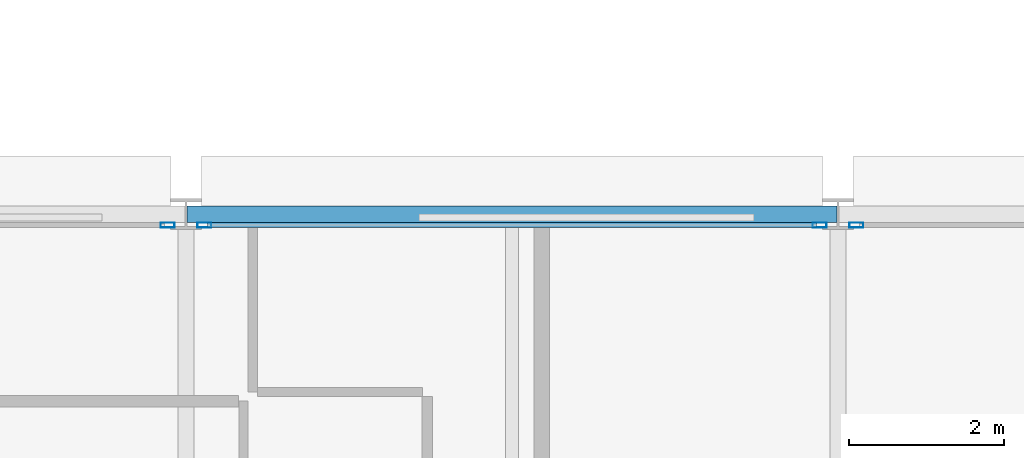
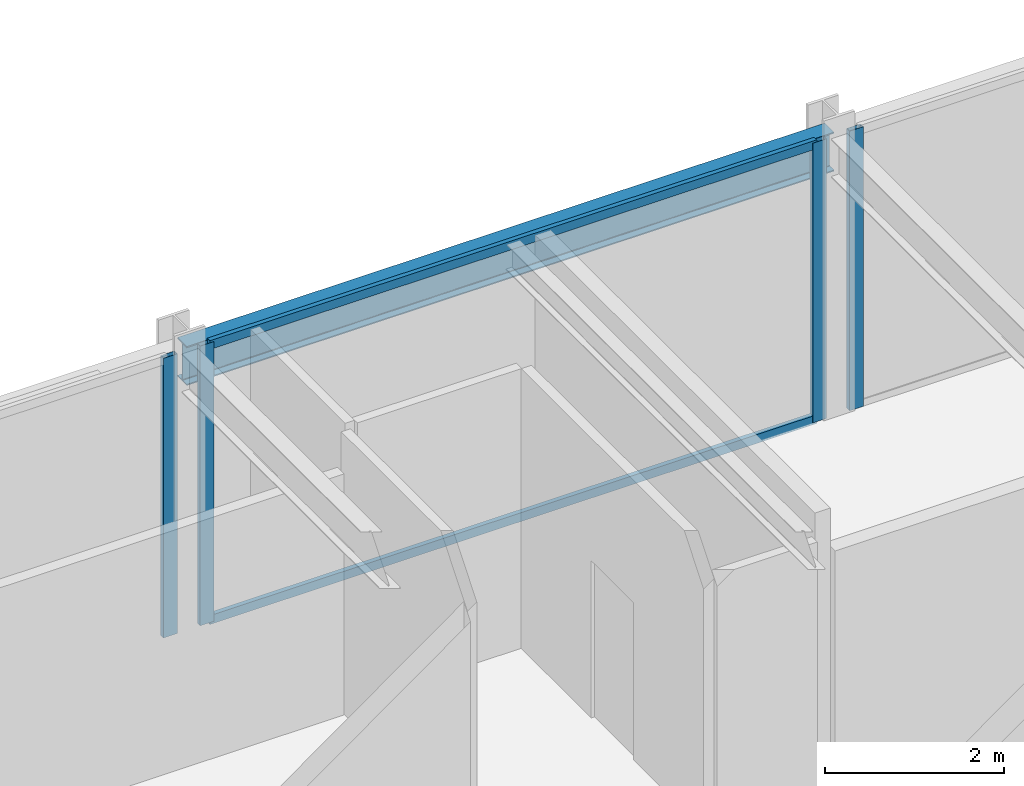
# One storey, part 20 of 39: 6 members, 1 beam, 3 elements without a shape of their own.
"""IFC4 building model written with IfcOpenShell, lengths in metres."""

from ifc_helpers import new_model, si_unit, direction, frame, origin, origin_2d, place, context, subcontext, project, spatial, hollow_rectangle, i_section, extrude, material, layer, layer_set, material_profile, profile_set, type_object, element, aggregate, save


model = new_model("IFC4")

# Units and contexts
model_context = context("Model", 3, precision=1e-05, world=origin(), true_north=direction((0.0, 1.0)))
body_context = subcontext(model_context, "Body", "Model", "MODEL_VIEW")
ifc_project = project(units=[si_unit("LENGTHUNIT", "METRE"), si_unit("AREAUNIT", "SQUARE_METRE"), si_unit("VOLUMEUNIT", "CUBIC_METRE"), si_unit("PLANEANGLEUNIT", "RADIAN"), si_unit("MASSUNIT", "GRAM", prefix="KILO")], contexts=[model_context])

# Site, building, storey
site_placement = place(None, origin())
site = spatial("IfcSite", under=ifc_project, at=site_placement, CompositionType="ELEMENT")
building_placement = place(site_placement, origin())
building = spatial("IfcBuilding", under=site, at=building_placement, Name="Nerrivon Quay Data Exchange", CompositionType="ELEMENT")
storey_placement = place(building_placement, frame((0.0, 0.0, 92.60009765625)))
storey = spatial("IfcBuildingStorey", under=building, at=storey_placement, Name="L21", CompositionType="ELEMENT", Elevation=92.60009765625)

# Beam
ifc_material_1 = material(Name="Steel Grade 350", Category="steel")
ifc_material_profile_1 = material_profile(ifc_material_1, i_section(OverallWidth=0.208984375, OverallDepth=0.532958984375, WebThickness=0.01025390625, FlangeThickness=0.015625, FilletRadius=0.013916015625, at=origin_2d()), Name="530UB92.4")
ifc_profile_set_1 = profile_set([ifc_material_profile_1], Name="Steel Grade 350")
beam_type = type_object("IfcBeamType", Name="BM-G3-530UB92", PredefinedType="BEAM", material=ifc_profile_set_1)
beam_placement = place(storey_placement, frame((33.612548828125, 25.199951171875, 3.558349609375), z_axis=(1.0, 0.0, 0.0), x_axis=(0.0, 1.0, 0.0)))
element("IfcBeam", 1, at=beam_placement, inside=storey, type_object=beam_type, Name="L21 EW Girder Y=25.2 (33.6..42.0)", PredefinedType="BEAM", context=body_context, shape_type="SweptSolid", body=[
    extrude(i_section(OverallWidth=0.208984375, OverallDepth=0.532958984375, WebThickness=0.01025390625, FlangeThickness=0.015625, FilletRadius=0.013916015625, at=origin_2d()), origin(), (0.0, 0.0, 1.0), 8.375),
])

# Curtain wall, member
ifc_material_2 = material(Name="Anodised aluminium 6063-T6", Category="aluminium")
ifc_layer = layer(ifc_material_2, 0.2099609375)
ifc_layer_set = layer_set([ifc_layer], Name="Anodised aluminium 6063-T6")
curtain_wall_type = type_object("IfcCurtainWallType", Name="CW-SYS-02", PredefinedType="NOTDEFINED", material=ifc_layer_set)
curtain_wall_1_placement = place(storey_placement, origin())
curtain_wall_1 = element("IfcCurtainWall", 2, at=curtain_wall_1_placement, inside=storey, type_object=curtain_wall_type, Name="L21 Unitised Curtain Wall 32", PredefinedType="NOTDEFINED")
ifc_material_profile_2 = material_profile(ifc_material_2, hollow_rectangle(XDim=0.06494140625, YDim=0.179931640625, WallThickness=0.00341796875, at=origin_2d()), Name="ALU-MULL-180x65")
ifc_profile_set_2 = profile_set([ifc_material_profile_2], Name="Anodised aluminium 6063-T6")
member_type_1 = type_object("IfcMemberType", Name="CWM-180x65", PredefinedType="MULLION", material=ifc_profile_set_2)
member_1_placement = place(storey_placement, frame((33.362548828125, 25.06005859375, 0.0), z_axis=(0.0, 0.0, 1.0), x_axis=(0.0, 1.0, 0.0)))
member_1 = element("IfcMember", 3, at=member_1_placement, type_object=member_type_1, Name="CW02 mullion 2", PredefinedType="MULLION", context=body_context, shape_type="SweptSolid", body=[
    extrude(hollow_rectangle(XDim=0.06494140625, YDim=0.179931640625, WallThickness=0.00341796875, at=origin_2d()), origin(), (0.0, 0.0, 1.0), 3.824951171875),
])
aggregate(curtain_wall_1, [member_1])

# Curtain wall, members
curtain_wall_2_placement = place(storey_placement, origin())
curtain_wall_2 = element("IfcCurtainWall", 4, at=curtain_wall_2_placement, inside=storey, type_object=curtain_wall_type, Name="L21 Unitised Curtain Wall 33", PredefinedType="NOTDEFINED")
member_2_placement = place(storey_placement, frame((33.83740234375, 25.06005859375, 0.0), z_axis=(0.0, 0.0, 1.0), x_axis=(0.0, 1.0, 0.0)))
member_2 = element("IfcMember", 5, at=member_2_placement, type_object=member_type_1, Name="CW02 mullion 1", PredefinedType="MULLION", context=body_context, shape_type="SweptSolid", body=[
    extrude(hollow_rectangle(XDim=0.06494140625, YDim=0.179931640625, WallThickness=0.00341796875, at=origin_2d()), origin(), (0.0, 0.0, 1.0), 3.824951171875),
])
member_3_placement = place(storey_placement, frame((41.762451171875, 25.06005859375, 0.0), z_axis=(0.0, 0.0, 1.0), x_axis=(0.0, 1.0, 0.0)))
member_3 = element("IfcMember", 6, at=member_3_placement, type_object=member_type_1, Name="CW02 mullion 2", PredefinedType="MULLION", context=body_context, shape_type="SweptSolid", body=[
    extrude(hollow_rectangle(XDim=0.06494140625, YDim=0.179931640625, WallThickness=0.00341796875, at=origin_2d()), origin(), (0.0, 0.0, 1.0), 3.824951171875),
])

# Curtain wall, member
curtain_wall_3_placement = place(storey_placement, origin())
curtain_wall_3 = element("IfcCurtainWall", 7, at=curtain_wall_3_placement, inside=storey, type_object=curtain_wall_type, Name="L21 Unitised Curtain Wall 34", PredefinedType="NOTDEFINED")
member_4_placement = place(storey_placement, frame((42.237548828125, 25.06005859375, 0.0), z_axis=(0.0, 0.0, 1.0), x_axis=(0.0, 1.0, 0.0)))
member_4 = element("IfcMember", 8, at=member_4_placement, type_object=member_type_1, Name="CW02 mullion 1", PredefinedType="MULLION", context=body_context, shape_type="SweptSolid", body=[
    extrude(hollow_rectangle(XDim=0.06494140625, YDim=0.179931640625, WallThickness=0.00341796875, at=origin_2d()), origin(), (0.0, 0.0, 1.0), 3.824951171875),
])
aggregate(curtain_wall_3, [member_4])

# Member
ifc_material_profile_3 = material_profile(ifc_material_2, hollow_rectangle(XDim=0.06005859375, YDim=0.1201171875, WallThickness=0.003173828125, at=origin_2d()), Name="ALU-TRAN-120x60")
ifc_profile_set_3 = profile_set([ifc_material_profile_3], Name="Anodised aluminium 6063-T6")
member_type_2 = type_object("IfcMemberType", Name="CWT-120x60", PredefinedType="USERDEFINED", material=ifc_profile_set_3)
member_5_placement = place(storey_placement, frame((33.875, 25.06005859375, 0.032470703125), z_axis=(1.0, 0.0, 0.0), x_axis=(0.0, 1.0, 0.0)))
member_5 = element("IfcMember", 9, at=member_5_placement, type_object=member_type_2, Name="CW02 transom 1.1", ObjectType="TRANSOM", PredefinedType="USERDEFINED", context=body_context, shape_type="SweptSolid", body=[
    extrude(hollow_rectangle(XDim=0.06005859375, YDim=0.1201171875, WallThickness=0.003173828125, at=origin_2d()), origin(), (0.0, 0.0, 1.0), 7.85009765625),
])

member_6_placement = place(storey_placement, frame((33.875, 25.06005859375, 3.79248046875), z_axis=(1.0, 0.0, 0.0), x_axis=(0.0, 1.0, 0.0)))
member_6 = element("IfcMember", 10, at=member_6_placement, type_object=member_type_2, Name="CW02 transom 1.2", ObjectType="TRANSOM", PredefinedType="USERDEFINED", context=body_context, shape_type="SweptSolid", body=[
    extrude(hollow_rectangle(XDim=0.06005859375, YDim=0.1201171875, WallThickness=0.003173828125, at=origin_2d()), origin(), (0.0, 0.0, 1.0), 7.85009765625),
])

aggregate(curtain_wall_2, [member_2, member_3, member_5, member_6])

save(model, "model.ifc")
